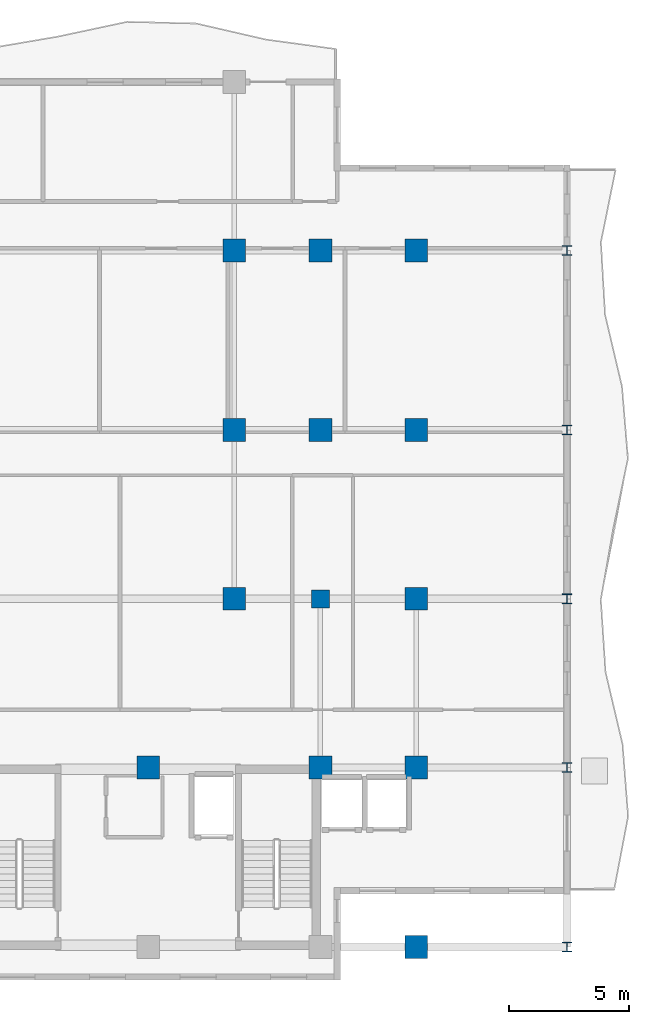
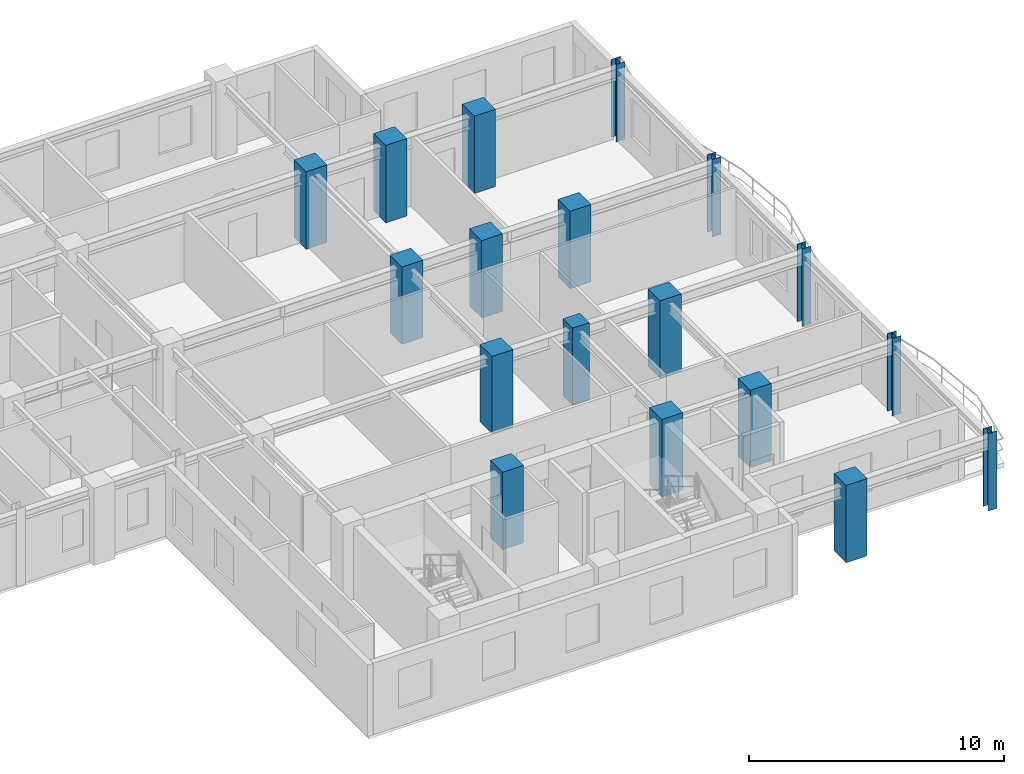
# One storey, part 2 of 20: 18 columns.
"""IFC4 building model written with IfcOpenShell, lengths in metres."""

import ifcopenshell
import ifcopenshell.guid

model = None  # the IFC model being written
_history = None  # IfcOwnerHistory: only IFC2X3 demands one
_inside = {}  # id of a spatial element -> (the spatial element, [elements in it])
_under = {}  # id of a project, library or spatial element -> (it, [spatial elements below it])
_declared = {}  # id of a project -> (the project, [libraries it declares])
_typed = {}  # id of a type object -> (the type object, [elements of that type])
_made_of = {}  # id of a material, layer set ... -> (it, [elements and type objects made of it])


def new_model(schema):
    """Start an empty IFC model of exactly this schema.

    Asked for "IFC4X3", IfcOpenShell would pick the latest addendum, in which some entities
    have other attributes; the version numbers below select the first issue.
    IFC2X3 requires an IfcOwnerHistory on every rooted entity: one is made here for all.
    """
    global model, _history
    if schema == "IFC4X3":
        model = ifcopenshell.file(schema_version=(4, 3, 0, 0))
    else:
        model = ifcopenshell.file(schema=schema)
    _inside.clear()
    _under.clear()
    _declared.clear()
    _typed.clear()
    _made_of.clear()
    _history = None
    if model.schema == "IFC2X3":
        org = make("IfcOrganization", Name="unknown")
        user = make(
            "IfcPersonAndOrganization",
            ThePerson=make("IfcPerson", FamilyName="unknown"),
            TheOrganization=org,
        )
        app = make(
            "IfcApplication",
            ApplicationDeveloper=org,
            Version="unknown",
            ApplicationFullName="unknown",
            ApplicationIdentifier="unknown",
        )
        _history = make(
            "IfcOwnerHistory",
            OwningUser=user,
            OwningApplication=app,
            ChangeAction="ADDED",
            CreationDate=0,
        )
    return model


def make(cls, **values):
    """One entity of the class cls with the attributes given. An attribute that is None is left unset."""
    return model.create_entity(
        cls, **{name: value for name, value in values.items() if value is not None}
    )


def rooted(cls, **values):
    """An entity with a GlobalId (a new one), such as an element, a storey or a relation."""
    return make(cls, GlobalId=ifcopenshell.guid.new(), OwnerHistory=_history, **values)


def si_unit(unit_type, name, prefix=None):
    """IfcSIUnit, for example si_unit("LENGTHUNIT", "METRE", prefix="MILLI")."""
    return make("IfcSIUnit", UnitType=unit_type, Prefix=prefix, Name=name)


def assignment(units):
    """IfcUnitAssignment: the units of a project."""
    return None if units is None else make("IfcUnitAssignment", Units=units)


def point(xyz):
    """IfcCartesianPoint."""
    return None if xyz is None else make("IfcCartesianPoint", Coordinates=xyz)


def direction(xyz):
    """IfcDirection."""
    return None if xyz is None else make("IfcDirection", DirectionRatios=xyz)


def frame(location, z_axis=None, x_axis=None):
    """IfcAxis2Placement3D, a coordinate frame: its origin and axes. An axis left out is left unset."""
    return make(
        "IfcAxis2Placement3D",
        Location=point(location),
        Axis=direction(z_axis),
        RefDirection=direction(x_axis),
    )


def frame_2d(location, x_axis=None):
    """IfcAxis2Placement2D, a coordinate frame in the plane: its origin and x axis."""
    return make(
        "IfcAxis2Placement2D", Location=point(location), RefDirection=direction(x_axis)
    )


def origin():
    """The frame at (0, 0, 0) with its axes left unset."""
    return frame((0.0, 0.0, 0.0))


def origin_2d():
    """The frame at (0, 0) in the plane with its x axis left unset."""
    return frame_2d((0.0, 0.0))


def place(relative_to, where):
    """IfcLocalPlacement: puts the frame where relative to a parent placement (None: the world)."""
    return make(
        "IfcLocalPlacement", PlacementRelTo=relative_to, RelativePlacement=where
    )


def context(
    kind, dimensions, precision=None, world=None, true_north=None, identifier=None
):
    """IfcGeometricRepresentationContext, for example the 3D "Model" context."""
    return make(
        "IfcGeometricRepresentationContext",
        ContextIdentifier=identifier,
        ContextType=kind,
        CoordinateSpaceDimension=dimensions,
        Precision=precision,
        WorldCoordinateSystem=world,
        TrueNorth=true_north,
    )


def subcontext(parent, identifier, kind, view, scale=None):
    """IfcGeometricRepresentationSubContext, for example "Body" below "Model"."""
    return make(
        "IfcGeometricRepresentationSubContext",
        ContextIdentifier=identifier,
        ContextType=kind,
        ParentContext=parent,
        TargetScale=scale,
        TargetView=view,
    )


def project(units=None, contexts=None):
    """IfcProject with its units and contexts."""
    return rooted(
        "IfcProject",
        Name="project",
        RepresentationContexts=contexts,
        UnitsInContext=assignment(units),
    )


def spatial(cls, under=None, at=None, **own):
    """A site, building, storey or space (cls), placed at a placement, below another one or the project."""
    s = rooted(cls, ObjectPlacement=at, **own)
    if under is not None:
        _under.setdefault(under.id(), (under, []))[1].append(s)
    return s


def profile(cls, at=None, kind="AREA", **sizes):
    """A parametric profile (cls). Its sizes go by their IFC names, for example OverallWidth=200.0."""
    return make(cls, ProfileType=kind, Position=at, **sizes)


def rectangle(**sizes):
    """IfcRectangleProfileDef."""
    return profile("IfcRectangleProfileDef", **sizes)


def i_section(**sizes):
    """IfcIShapeProfileDef."""
    return profile("IfcIShapeProfileDef", **sizes)


def extrude(swept, where, along, depth):
    """IfcExtrudedAreaSolid: the profile swept, set in the frame where, extruded along a direction by depth."""
    return make(
        "IfcExtrudedAreaSolid",
        SweptArea=swept,
        Position=where,
        ExtrudedDirection=direction(along),
        Depth=depth,
    )


def shape(context_of_items, identifier, shape_type, items):
    """IfcShapeRepresentation: the items that make up one representation, for example the "Body"."""
    return make(
        "IfcShapeRepresentation",
        ContextOfItems=context_of_items,
        RepresentationIdentifier=identifier,
        RepresentationType=shape_type,
        Items=items,
    )


def source(mapping_origin, context_of_items, identifier, shape_type, items):
    """IfcRepresentationMap: a shape defined once, which mapped items show again and again."""
    return make(
        "IfcRepresentationMap",
        MappingOrigin=mapping_origin,
        MappedRepresentation=shape(context_of_items, identifier, shape_type, items),
    )


def transform(
    local_origin,
    x_axis=None,
    y_axis=None,
    z_axis=None,
    scale=None,
    scale2=None,
    scale3=None,
    uniform=True,
):
    """IfcCartesianTransformationOperator3D, or its non-uniform kind. x_axis, y_axis, z_axis: its Axis1, 2, 3."""
    if uniform:
        return make(
            "IfcCartesianTransformationOperator3D",
            Axis1=direction(x_axis),
            Axis2=direction(y_axis),
            LocalOrigin=point(local_origin),
            Scale=scale,
            Axis3=direction(z_axis),
        )
    return make(
        "IfcCartesianTransformationOperator3DnonUniform",
        Axis1=direction(x_axis),
        Axis2=direction(y_axis),
        LocalOrigin=point(local_origin),
        Scale=scale,
        Axis3=direction(z_axis),
        Scale2=scale2,
        Scale3=scale3,
    )


def mapped(mapping_source, mapping_target):
    """IfcMappedItem: shows the shape of a source again, moved by a transform."""
    return make(
        "IfcMappedItem", MappingSource=mapping_source, MappingTarget=mapping_target
    )


def material(Name=None, Category=None):
    """IfcMaterial."""
    return make("IfcMaterial", Name=Name, Category=Category)


def material_profile(
    of_material, cross_section, Name=None, Category=None, Priority=None
):
    """IfcMaterialProfile: a cross section and its material."""
    return make(
        "IfcMaterialProfile",
        Name=Name,
        Material=of_material,
        Profile=cross_section,
        Priority=Priority,
        Category=Category,
    )


def profile_set(profiles, Name=None, composite=None):
    """IfcMaterialProfileSet."""
    return make(
        "IfcMaterialProfileSet",
        Name=Name,
        MaterialProfiles=profiles,
        CompositeProfile=composite,
    )


def made_of(thing, what):
    """Note that an element or type object is made of a material, layer set ...; save() writes the relation."""
    if what is not None:
        _made_of.setdefault(what.id(), (what, []))[1].append(thing)
    return thing


def type_object(cls, material=None, **own):
    """A type object (cls), such as IfcWallType, which elements share."""
    return made_of(rooted(cls, **own), material)


def element(
    cls,
    number,
    at=None,
    inside=None,
    cuts=None,
    type_object=None,
    material=None,
    context=None,
    identifier="Body",
    shape_type=None,
    held_by="IfcProductDefinitionShape",
    body=None,
    shapes=None,
    **own,
):
    """One element of the class cls, such as IfcWall. Its Tag is "e" and its number.

    at: its placement. inside: the storey or other place that contains it. cuts: it is an
    opening in that element (IfcRelVoidsElement). A single representation is given by context,
    identifier, shape_type and body (its items); several are given by shapes. held_by: the class
    of the entity that holds the representations. save() writes the other relations.
    """
    e = rooted(cls, Tag="e%d" % number, ObjectPlacement=at, **own)
    if body is not None:
        shapes = [shape(context, identifier, shape_type, body)]
    if shapes is not None:
        e.Representation = make(held_by, Representations=shapes)
    if inside is not None:
        _inside.setdefault(inside.id(), (inside, []))[1].append(e)
    if cuts is not None:
        rooted(
            "IfcRelVoidsElement", RelatingBuildingElement=cuts, RelatedOpeningElement=e
        )
    if type_object is not None:
        _typed.setdefault(type_object.id(), (type_object, []))[1].append(e)
    return made_of(e, material)


def aggregate(whole, parts):
    """IfcRelAggregates: a whole, such as a stair, and the parts it consists of."""
    return rooted("IfcRelAggregates", RelatingObject=whole, RelatedObjects=parts)


def save(model, path):
    """Write the relations noted so far, then the file.

    IfcRelAggregates (storeys below a building ...), IfcRelContainedInSpatialStructure (elements
    in a storey), IfcRelDefinesByType, IfcRelAssociatesMaterial and IfcRelDeclares: one each for
    every whole, place, type object, material and project.
    """
    for whole, parts in _under.values():
        aggregate(whole, parts)
    for where, things in _inside.values():
        rooted(
            "IfcRelContainedInSpatialStructure",
            RelatedElements=things,
            RelatingStructure=where,
        )
    for kind, things in _typed.values():
        rooted("IfcRelDefinesByType", RelatedObjects=things, RelatingType=kind)
    for what, things in _made_of.values():
        rooted("IfcRelAssociatesMaterial", RelatedObjects=things, RelatingMaterial=what)
    for by, libraries in _declared.values():
        rooted("IfcRelDeclares", RelatingContext=by, RelatedDefinitions=libraries)
    model.write(path)


model = new_model("IFC4")

# Units and contexts
model_context = context("Model", 3, precision=1e-05, world=origin(), true_north=direction((0.0, 1.0)))
body_context = subcontext(model_context, "Body", "Model", "MODEL_VIEW")
ifc_project = project(units=[si_unit("LENGTHUNIT", "METRE"), si_unit("AREAUNIT", "SQUARE_METRE"), si_unit("VOLUMEUNIT", "CUBIC_METRE"), si_unit("PLANEANGLEUNIT", "RADIAN"), si_unit("MASSUNIT", "GRAM", prefix="KILO")], contexts=[model_context])

# Site, building, storey
site_placement = place(None, origin())
site = spatial("IfcSite", under=ifc_project, at=site_placement, CompositionType="ELEMENT")
building_placement = place(site_placement, origin())
building = spatial("IfcBuilding", under=site, at=building_placement, Name="Kaliganga Portal Commons", CompositionType="ELEMENT")
storey_placement = place(building_placement, frame((0.0, 0.0, 231.39990234375)))
storey = spatial("IfcBuildingStorey", under=building, at=storey_placement, Name="L59", CompositionType="ELEMENT", Elevation=231.39990234375)

# Columns
ifc_material_1 = material(Name="Concrete C50/60", Category="concrete")
ifc_material_profile_1 = material_profile(ifc_material_1, rectangle(XDim=0.949951171875, YDim=0.949951171875, at=origin_2d()), Name="RC 950x950")
ifc_profile_set_1 = profile_set([ifc_material_profile_1], Name="Concrete C50/60")
column_type_1 = type_object("IfcColumnType", Name="COL-MEGA-Z4", PredefinedType="COLUMN", material=ifc_profile_set_1)
shared_shape_1 = source(origin(), body_context, "Body", "SweptSolid", [
    extrude(rectangle(XDim=0.949951171875, YDim=0.949951171875, at=origin_2d()), origin(), (0.0, 0.0, 1.0), 3.7001953125),
])
for number, where, z_axis, x_axis, name in (
    (1, (46.800048828125, 21.60009765625, 0.0), (0.0, 0.0, 1.0), (1.0, 0.0, 0.0), "Column MC-05 L59"),
    (2, (46.800048828125, 28.64990234375, 0.0), (0.0, 0.0, 1.0), (1.0, 0.0, 0.0), "Column MC-05 L59"),
    (3, (46.800048828125, 36.14990234375, 0.0), (0.0, 0.0, 1.0), (1.0, 0.0, 0.0), "Column MC-05 L59"),
    (4, (43.199951171875, 14.550048828125, 0.0), (0.0, 0.0, 1.0), (1.0, 0.0, 0.0), "Column MC-05 L59"),
    (5, (50.39990234375, 14.550048828125, 0.0), (0.0, 0.0, 1.0), (1.0, 0.0, 0.0), "Column MC-05 L59"),
    (6, (50.39990234375, 28.64990234375, 0.0), (0.0, 0.0, 1.0), (1.0, 0.0, 0.0), "Column MC-05 L59"),
    (7, (50.39990234375, 36.14990234375, 0.0), (0.0, 0.0, 1.0), (1.0, 0.0, 0.0), "Column MC-05 L59"),
    (8, (54.39990234375, 7.050048828125, 0.0), (0.0, 0.0, 1.0), (1.0, 0.0, 0.0), "Column MC-05 L59"),
    (9, (54.39990234375, 14.550048828125, 0.0), (0.0, 0.0, 1.0), (1.0, 0.0, 0.0), "Column MC-05 L59"),
    (10, (54.39990234375, 21.60009765625, 0.0), (0.0, 0.0, 1.0), (1.0, 0.0, 0.0), "Column MC-05 L59"),
    (11, (54.39990234375, 28.64990234375, 0.0), (0.0, 0.0, 1.0), (1.0, 0.0, 0.0), "Column MC-05 L59"),
    (12, (54.39990234375, 36.14990234375, 0.0), (0.0, 0.0, 1.0), (1.0, 0.0, 0.0), "Column MC-05 L59"),
):
    element("IfcColumn", number, at=place(storey_placement, frame(where, z_axis=z_axis, x_axis=x_axis)), inside=storey, type_object=column_type_1, Name=name, PredefinedType="COLUMN", context=body_context, shape_type="MappedRepresentation", body=[
        mapped(shared_shape_1, transform((0.0, 0.0, 0.0), x_axis=(1.0, 0.0, 0.0), y_axis=(0.0, 1.0, 0.0), z_axis=(0.0, 0.0, 1.0), scale=1.0)),
    ])
ifc_material_2 = material(Name="Concrete C60/75", Category="concrete")
ifc_material_profile_2 = material_profile(ifc_material_2, rectangle(XDim=0.75, YDim=0.75, at=origin_2d()), Name="RC 750x750")
ifc_profile_set_2 = profile_set([ifc_material_profile_2], Name="Concrete C60/75")
column_type_2 = type_object("IfcColumnType", Name="COL-PILASTER-RC", PredefinedType="PILASTER", material=ifc_profile_set_2)
shared_shape_2 = source(origin(), body_context, "Body", "SweptSolid", [
    extrude(rectangle(XDim=0.75, YDim=0.75, at=origin_2d()), origin(), (0.0, 0.0, 1.0), 3.7001953125),
])
column_placement = place(storey_placement, frame((50.39990234375, 21.60009765625, 0.0), z_axis=(0.0, 0.0, 1.0), x_axis=(1.0, 0.0, 0.0)))
element("IfcColumn", 13, at=column_placement, inside=storey, type_object=column_type_2, Name="Column CP-01 L59", PredefinedType="PILASTER", context=body_context, shape_type="MappedRepresentation", body=[
    mapped(shared_shape_2, transform((0.0, 0.0, 0.0), x_axis=(1.0, 0.0, 0.0), y_axis=(0.0, 1.0, 0.0), z_axis=(0.0, 0.0, 1.0), scale=1.0)),
])
ifc_material_3 = material(Name="Structural steel S355J2", Category="steel")
ifc_material_profile_3 = material_profile(ifc_material_3, i_section(OverallWidth=0.39892578125, OverallDepth=0.39990234375, WebThickness=0.017333984375, FlangeThickness=0.0234375, FilletRadius=0.014892578125, at=origin_2d()), Name="HD 400x287")
ifc_profile_set_3 = profile_set([ifc_material_profile_3], Name="Structural steel S355J2 wide-flange")
column_type_3 = type_object("IfcColumnType", Name="COL-TUBE-B4", PredefinedType="COLUMN", material=ifc_profile_set_3)
shared_shape_3 = source(origin(), body_context, "Body", "SweptSolid", [
    extrude(i_section(OverallWidth=0.39892578125, OverallDepth=0.39990234375, WebThickness=0.017333984375, FlangeThickness=0.0234375, FilletRadius=0.014892578125, at=origin_2d()), origin(), (0.0, 0.0, 1.0), 3.7001953125),
])
for number, where, z_axis, x_axis, name in (
    (14, (60.699951171875, 7.050048828125, 0.0), (0.0, 0.0, 1.0), (1.0, 0.0, 0.0), "Column TC-04 L59"),
    (15, (60.699951171875, 14.550048828125, 0.0), (0.0, 0.0, 1.0), (1.0, 0.0, 0.0), "Column TC-04 L59"),
    (16, (60.699951171875, 21.60009765625, 0.0), (0.0, 0.0, 1.0), (1.0, 0.0, 0.0), "Column TC-04 L59"),
    (17, (60.699951171875, 28.64990234375, 0.0), (0.0, 0.0, 1.0), (1.0, 0.0, 0.0), "Column TC-04 L59"),
    (18, (60.699951171875, 36.14990234375, 0.0), (0.0, 0.0, 1.0), (1.0, 0.0, 0.0), "Column TC-04 L59"),
):
    element("IfcColumn", number, at=place(storey_placement, frame(where, z_axis=z_axis, x_axis=x_axis)), inside=storey, type_object=column_type_3, Name=name, PredefinedType="COLUMN", context=body_context, shape_type="MappedRepresentation", body=[
        mapped(shared_shape_3, transform((0.0, 0.0, 0.0), x_axis=(1.0, 0.0, 0.0), y_axis=(0.0, 1.0, 0.0), z_axis=(0.0, 0.0, 1.0), scale=1.0)),
    ])

save(model, "model.ifc")
